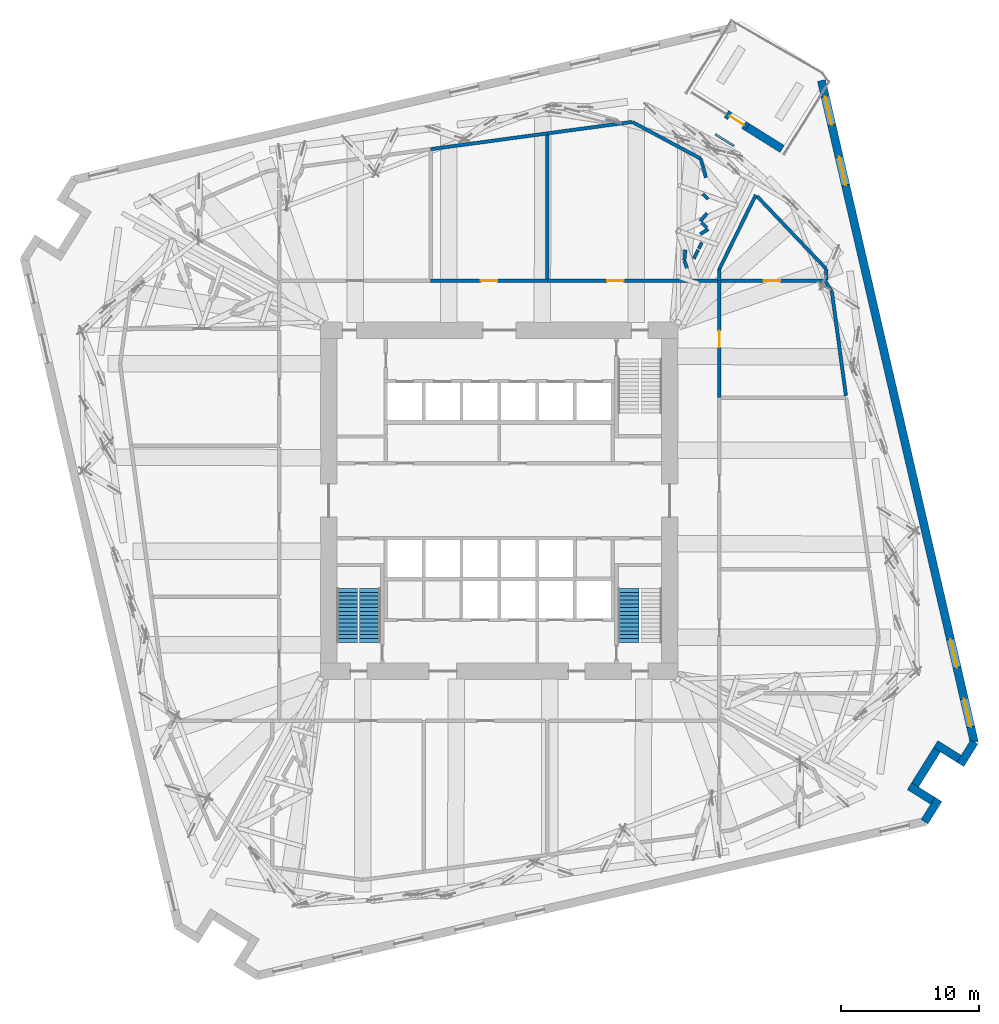
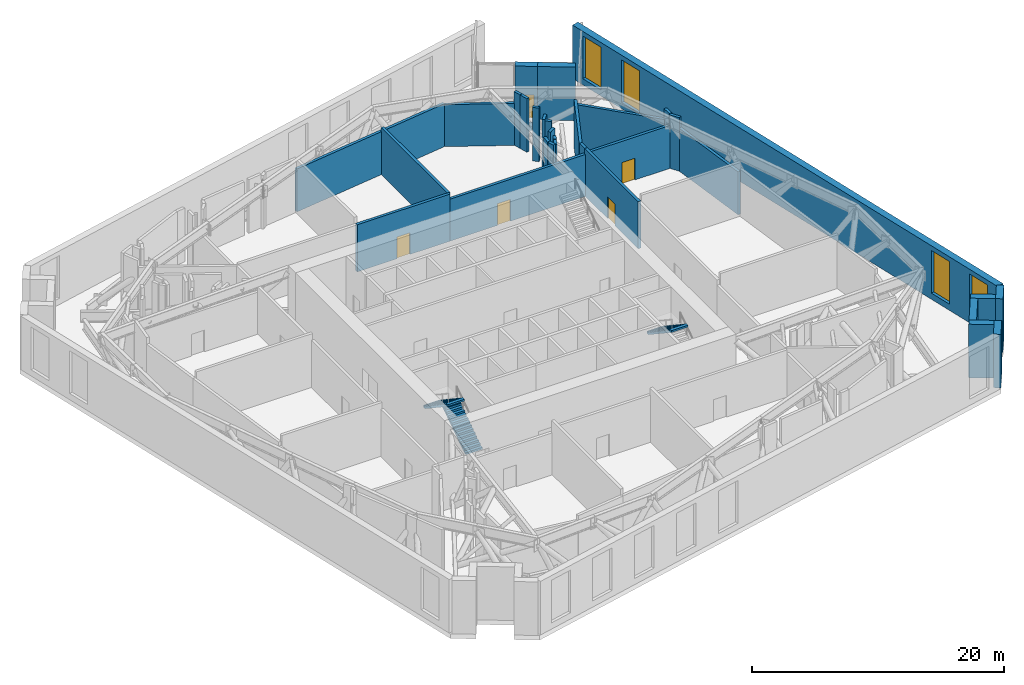
# One storey, part 12 of 17: 33 walls, 5 doors, 4 windows, 3 stair flights, 9 openings, 2 elements without a shape of their own.
"""IFC4 building model written with IfcOpenShell, lengths in metres."""

from ifc_helpers import new_model, si_unit, direction, frame, frame_2d, origin, place, context, subcontext, project, spatial, polyline, rectangle, outline, extrude, material, layer, layer_set, type_object, element, fill, aggregate, save


model = new_model("IFC4")

# Units and contexts
model_context = context("Model", 3, precision=1e-05, world=origin(), true_north=direction((0.0, 1.0)))
body_context = subcontext(model_context, "Body", "Model", "MODEL_VIEW")
ifc_project = project(units=[si_unit("LENGTHUNIT", "METRE"), si_unit("AREAUNIT", "SQUARE_METRE"), si_unit("VOLUMEUNIT", "CUBIC_METRE"), si_unit("PLANEANGLEUNIT", "RADIAN"), si_unit("MASSUNIT", "GRAM", prefix="KILO")], contexts=[model_context])

# Site, building, storey
site_placement = place(None, origin())
site = spatial("IfcSite", under=ifc_project, at=site_placement, CompositionType="ELEMENT")
building_placement = place(site_placement, origin())
building = spatial("IfcBuilding", under=site, at=building_placement, Name="Dilmun Exchange Tower", CompositionType="ELEMENT")
storey_placement = place(building_placement, frame((0.0, 0.0, 76.5)))
storey = spatial("IfcBuildingStorey", under=building, at=storey_placement, Name="L17", CompositionType="ELEMENT", Elevation=76.5)

# Wall, opening, door
ifc_material_1 = material(Name="Concrete C32/40", Category="concrete")
ifc_layer_1 = layer(ifc_material_1, 0.25)
ifc_layer_set_1 = layer_set([ifc_layer_1], Name="Concrete C32/40")
wall_type_1 = type_object("IfcWallType", Name="Plant room wall 250", PredefinedType="PARTITIONING", material=ifc_layer_set_1)
wall_1_placement = place(storey_placement, frame((16.0, 7.5048828125, 0.0), z_axis=(0.0, 0.0, 1.0), x_axis=(0.0, 1.0, 0.0)))
wall_1 = element("IfcWall", 1, at=wall_1_placement, inside=storey, type_object=wall_type_1, Name="L17 plant room wall 65", PredefinedType="PARTITIONING", context=body_context, shape_type="SweptSolid", body=[
    extrude(rectangle(XDim=8.4951171875, YDim=0.25, at=frame_2d((4.24755859375, 0.0))), origin(), (0.0, 0.0, 1.0), 4.56005859375),
])
opening_1_placement = place(wall_1_placement, frame((3.64501953125, 0.0, 0.0)))
opening_1 = element("IfcOpeningElement", 2, at=opening_1_placement, cuts=wall_1, Name="Opening PD2", PredefinedType="OPENING", context=body_context, shape_type="SweptSolid", body=[
    extrude(rectangle(XDim=1.199951171875, YDim=2.10009765625, at=frame_2d((0.60009765625, 1.050048828125))), frame((0.0, 0.135009765625, 0.0), z_axis=(0.0, -1.0, 0.0), x_axis=(1.0, 0.0, 0.0)), (0.0, 0.0, 1.0), 0.27001953125),
])
ifc_material_2 = material(Name="Fire-rated steel door set", Category="steel")
door_type_1 = type_object("IfcDoorType", Name="Plant room door 1200x2100", OperationType="SINGLE_SWING_LEFT", PredefinedType="DOOR", material=ifc_material_2)
door_1_placement = place(opening_1_placement, origin())
door_1 = element("IfcDoor", 3, at=door_1_placement, inside=storey, type_object=door_type_1, Name="L17 door Refuge area", OperationType="SINGLE_SWING_LEFT", OverallHeight=2.10009765625, OverallWidth=1.199951171875, PredefinedType="DOOR", context=body_context, shape_type="SweptSolid", body=[
    extrude(rectangle(XDim=1.199951171875, YDim=2.10009765625, at=frame_2d((0.60009765625, 1.050048828125))), frame((0.0, 0.02490234375, 0.0), z_axis=(0.0, -1.0, 0.0), x_axis=(1.0, 0.0, 0.0)), (0.0, 0.0, 1.0), 0.050048828125),
])
fill(opening_1, door_1)

# Wall
wall_2_placement = place(storey_placement, frame((24.18212890625, 15.206298828125, 0.0), z_axis=(0.0, 0.0, 1.0), x_axis=(0.133897553771, -0.990995179148, 0.0)))
element("IfcWall", 4, at=wall_2_placement, inside=storey, type_object=wall_type_1, Name="L17 plant room wall 80", PredefinedType="PARTITIONING", context=body_context, shape_type="SweptSolid", body=[
    extrude(rectangle(XDim=7.645263671875, YDim=0.25, at=frame_2d((3.82275390625, 0.0))), origin(), (0.0, 0.0, 1.0), 4.152099609375),
])

# Wall, opening, door
wall_3_placement = place(storey_placement, frame((-4.9951171875, 16.0, 0.0), z_axis=(0.0, 0.0, 1.0), x_axis=(1.0, 0.0, 0.0)))
wall_3 = element("IfcWall", 5, at=wall_3_placement, inside=storey, type_object=wall_type_1, Name="L17 plant room wall 90", PredefinedType="PARTITIONING", context=body_context, shape_type="SweptSolid", body=[
    extrude(rectangle(XDim=8.4951171875, YDim=0.25, at=frame_2d((4.24755859375, 0.0))), origin(), (0.0, 0.0, 1.0), 4.56005859375),
])
opening_2_placement = place(wall_3_placement, frame((3.64501953125, 0.0, 0.0)))
opening_2 = element("IfcOpeningElement", 6, at=opening_2_placement, cuts=wall_3, Name="Opening PD2", PredefinedType="OPENING", context=body_context, shape_type="SweptSolid", body=[
    extrude(rectangle(XDim=1.199951171875, YDim=2.10009765625, at=frame_2d((0.60009765625, 1.050048828125))), frame((0.0, 0.135009765625, 0.0), z_axis=(0.0, -1.0, 0.0), x_axis=(1.0, 0.0, 0.0)), (0.0, 0.0, 1.0), 0.27001953125),
])
door_2_placement = place(opening_2_placement, origin())
door_2 = element("IfcDoor", 7, at=door_2_placement, inside=storey, type_object=door_type_1, Name="L17 door Mechanical pump room", OperationType="SINGLE_SWING_LEFT", OverallHeight=2.10009765625, OverallWidth=1.199951171875, PredefinedType="DOOR", context=body_context, shape_type="SweptSolid", body=[
    extrude(rectangle(XDim=1.199951171875, YDim=2.10009765625, at=frame_2d((0.60009765625, 1.050048828125))), frame((0.0, 0.02490234375, 0.0), z_axis=(0.0, -1.0, 0.0), x_axis=(1.0, 0.0, 0.0)), (0.0, 0.0, 1.0), 0.050048828125),
])
fill(opening_2, door_2)

wall_4_placement = place(storey_placement, frame((3.5048828125, 16.0, 0.0), z_axis=(0.0, 0.0, 1.0), x_axis=(1.0, 0.0, 0.0)))
wall_4 = element("IfcWall", 8, at=wall_4_placement, inside=storey, type_object=wall_type_1, Name="L17 plant room wall 91", PredefinedType="PARTITIONING", context=body_context, shape_type="SweptSolid", body=[
    extrude(rectangle(XDim=12.365234375, YDim=0.25, at=frame_2d((6.1826171875, 0.0))), origin(), (0.0, 0.0, 1.0), 4.06005859375),
])
opening_3_placement = place(wall_4_placement, frame((4.326416015625, 0.0, 0.0)))
opening_3 = element("IfcOpeningElement", 9, at=opening_3_placement, cuts=wall_4, Name="Opening PD2", PredefinedType="OPENING", context=body_context, shape_type="SweptSolid", body=[
    extrude(rectangle(XDim=1.199951171875, YDim=2.10009765625, at=frame_2d((0.60009765625, 1.050048828125))), frame((0.0, 0.135009765625, 0.0), z_axis=(0.0, -1.0, 0.0), x_axis=(1.0, 0.0, 0.0)), (0.0, 0.0, 1.0), 0.27001953125),
])
door_3_placement = place(opening_3_placement, origin())
door_3 = element("IfcDoor", 10, at=door_3_placement, inside=storey, type_object=door_type_1, Name="L17 door Plant control room", OperationType="SINGLE_SWING_RIGHT", OverallHeight=2.10009765625, OverallWidth=1.199951171875, PredefinedType="DOOR", context=body_context, shape_type="SweptSolid", body=[
    extrude(rectangle(XDim=1.199951171875, YDim=2.10009765625, at=frame_2d((0.60009765625, 1.050048828125))), frame((0.0, 0.02490234375, 0.0), z_axis=(0.0, -1.0, 0.0), x_axis=(1.0, 0.0, 0.0)), (0.0, 0.0, 1.0), 0.050048828125),
])
fill(opening_3, door_3)

# Wall
wall_5_placement = place(storey_placement, frame((16.0, 16.0048828125, 0.0), z_axis=(0.0, 0.0, 1.0), x_axis=(0.0, 1.0, 0.0)))
element("IfcWall", 11, at=wall_5_placement, inside=storey, type_object=wall_type_1, Name="L17 plant room wall 92", PredefinedType="PARTITIONING", context=body_context, shape_type="SweptSolid", body=[
    extrude(rectangle(XDim=0.831298828125, YDim=0.25, at=frame_2d((0.41552734375, 0.0))), origin(), (0.0, 0.0, 1.0), 4.56005859375),
])

# Wall, opening, door
wall_6_placement = place(storey_placement, frame((16.1298828125, 16.0, 0.0), z_axis=(0.0, 0.0, 1.0), x_axis=(1.0, 0.0, 0.0)))
wall_6 = element("IfcWall", 12, at=wall_6_placement, inside=storey, type_object=wall_type_1, Name="L17 plant room wall 93", PredefinedType="PARTITIONING", context=body_context, shape_type="SweptSolid", body=[
    extrude(rectangle(XDim=7.54443359375, YDim=0.25, at=frame_2d((3.772216796875, 0.0))), origin(), (0.0, 0.0, 1.0), 4.152099609375),
])
opening_4_placement = place(wall_6_placement, frame((3.091552734375, 0.0, 0.0)))
opening_4 = element("IfcOpeningElement", 13, at=opening_4_placement, cuts=wall_6, Name="Opening PD2", PredefinedType="OPENING", context=body_context, shape_type="SweptSolid", body=[
    extrude(rectangle(XDim=1.199951171875, YDim=2.10009765625, at=frame_2d((0.60009765625, 1.050048828125))), frame((0.0, 0.135009765625, 0.0), z_axis=(0.0, -1.0, 0.0), x_axis=(1.0, 0.0, 0.0)), (0.0, 0.0, 1.0), 0.27001953125),
])
door_4_placement = place(opening_4_placement, origin())
door_4 = element("IfcDoor", 14, at=door_4_placement, inside=storey, type_object=door_type_1, Name="L17 door Mechanical valve room", OperationType="SINGLE_SWING_RIGHT", OverallHeight=2.10009765625, OverallWidth=1.199951171875, PredefinedType="DOOR", context=body_context, shape_type="SweptSolid", body=[
    extrude(rectangle(XDim=1.199951171875, YDim=2.10009765625, at=frame_2d((0.60009765625, 1.050048828125))), frame((0.0, 0.02490234375, 0.0), z_axis=(0.0, -1.0, 0.0), x_axis=(1.0, 0.0, 0.0)), (0.0, 0.0, 1.0), 0.050048828125),
])
fill(opening_4, door_4)

# Walls
wall_7_placement = place(storey_placement, frame((23.679443359375, 15.9921875, 0.0), z_axis=(0.0, 0.0, 1.0), x_axis=(0.538866930082, -0.842390901936, 0.0)))
element("IfcWall", 15, at=wall_7_placement, inside=storey, type_object=wall_type_1, Name="L17 plant room wall 94", PredefinedType="PARTITIONING", context=body_context, shape_type="SweptSolid", body=[
    extrude(rectangle(XDim=0.927490234375, YDim=0.25, at=frame_2d((0.4638671875, 0.0))), origin(), (0.0, 0.0, 1.0), 5.179931640625),
])
wall_8_placement = place(storey_placement, frame((16.00244140625, 16.84130859375, 0.0), z_axis=(0.0, 0.0, 1.0), x_axis=(0.441137719049, 0.897439420146, 0.0)))
element("IfcWall", 16, at=wall_8_placement, inside=storey, type_object=wall_type_1, Name="L17 plant room wall 99", PredefinedType="PARTITIONING", context=body_context, shape_type="SweptSolid", body=[
    extrude(rectangle(XDim=6.00537109375, YDim=0.25, at=frame_2d((3.002685546875, 0.0))), origin(), (0.0, 0.0, 1.0), 4.56005859375),
])
wall_9_placement = place(storey_placement, frame((23.7646484375, 16.86181640625, 0.0), z_axis=(0.0, 0.0, 1.0), x_axis=(0.033688731694, -0.999432373579, 0.0)))
element("IfcWall", 17, at=wall_9_placement, inside=storey, type_object=wall_type_1, Name="L17 plant room wall 100", PredefinedType="PARTITIONING", context=body_context, shape_type="SweptSolid", body=[
    extrude(rectangle(XDim=0.804443359375, YDim=0.25, at=frame_2d((0.40234375, 0.0))), origin(), (0.0, 0.0, 1.0), 5.179931640625),
])
wall_10_placement = place(storey_placement, frame((13.456787109375, 17.453125, 0.0), z_axis=(0.0, 0.0, 1.0), x_axis=(0.32939003376, -0.944193944939, 0.0)))
element("IfcWall", 18, at=wall_10_placement, inside=storey, type_object=wall_type_1, Name="L17 plant room wall 102", PredefinedType="PARTITIONING", context=body_context, shape_type="SweptSolid", body=[
    extrude(rectangle(XDim=0.566162109375, YDim=0.25, at=frame_2d((0.283203125, 0.0))), origin(), (0.0, 0.0, 1.0), 5.179931640625),
])
wall_11_placement = place(storey_placement, frame((13.453125, 17.482421875, 0.0), z_axis=(0.0, 0.0, 1.0), x_axis=(0.100328835768, 0.994954332979, 0.0)))
element("IfcWall", 19, at=wall_11_placement, inside=storey, type_object=wall_type_1, Name="L17 plant room wall 103", PredefinedType="PARTITIONING", context=body_context, shape_type="SweptSolid", body=[
    extrude(rectangle(XDim=0.76171875, YDim=0.25, at=frame_2d((0.380859375, 0.0))), origin(), (0.0, 0.0, 1.0), 5.179931640625),
])
wall_12_placement = place(storey_placement, frame((14.144775390625, 17.595458984375, 0.0), z_axis=(0.0, 0.0, 1.0), x_axis=(0.441008552152, 0.897502900791, 0.0)))
element("IfcWall", 20, at=wall_12_placement, inside=storey, type_object=wall_type_1, Name="L17 plant room wall 104", PredefinedType="PARTITIONING", context=body_context, shape_type="SweptSolid", body=[
    extrude(rectangle(XDim=0.72509765625, YDim=0.25, at=frame_2d((0.362548828125, 0.0))), origin(), (0.0, 0.0, 1.0), 4.56005859375),
])
wall_13_placement = place(storey_placement, frame((14.50634765625, 18.331298828125, 0.0), z_axis=(0.0, 0.0, 1.0), x_axis=(0.441139544231, 0.897438522973, 0.0)))
element("IfcWall", 21, at=wall_13_placement, inside=storey, type_object=wall_type_1, Name="L17 plant room wall 105", PredefinedType="PARTITIONING", context=body_context, shape_type="SweptSolid", body=[
    extrude(rectangle(XDim=0.483154296875, YDim=0.25, at=frame_2d((0.24169921875, 0.0))), origin(), (0.0, 0.0, 1.0), 4.56005859375),
])
wall_14_placement = place(storey_placement, frame((14.60791015625, 19.38330078125, 0.0), z_axis=(0.0, 0.0, 1.0), x_axis=(0.853210693836, 0.521566402219, 0.0)))
element("IfcWall", 22, at=wall_14_placement, inside=storey, type_object=wall_type_1, Name="L17 plant room wall 107", PredefinedType="PARTITIONING", context=body_context, shape_type="SweptSolid", body=[
    extrude(rectangle(XDim=0.6787109375, YDim=0.25, at=frame_2d((0.33935546875, 0.0))), origin(), (0.0, 0.0, 1.0), 4.56005859375),
])
wall_15_placement = place(storey_placement, frame((14.714111328125, 20.222412109375, 0.0), z_axis=(0.0, 0.0, 1.0), x_axis=(0.698077136182, -0.716022563848, 0.0)))
element("IfcWall", 23, at=wall_15_placement, inside=storey, type_object=wall_type_1, Name="L17 plant room wall 108", PredefinedType="PARTITIONING", context=body_context, shape_type="SweptSolid", body=[
    extrude(rectangle(XDim=0.544189453125, YDim=0.25, at=frame_2d((0.27197265625, 0.0))), origin(), (0.0, 0.0, 1.0), 5.179931640625),
])
wall_16_placement = place(storey_placement, frame((14.615478515625, 20.321533203125, 0.0), z_axis=(0.0, 0.0, 1.0), x_axis=(0.647406501975, 0.762144882028, 0.0)))
element("IfcWall", 24, at=wall_16_placement, inside=storey, type_object=wall_type_1, Name="L17 plant room wall 110", PredefinedType="PARTITIONING", context=body_context, shape_type="SweptSolid", body=[
    extrude(rectangle(XDim=0.76171875, YDim=0.25, at=frame_2d((0.380859375, 0.0))), origin(), (0.0, 0.0, 1.0), 5.179931640625),
])
wall_17_placement = place(storey_placement, frame((18.747314453125, 22.13037109375, 0.0), z_axis=(0.0, 0.0, 1.0), x_axis=(0.68963168831, -0.724160296121, 0.0)))
element("IfcWall", 25, at=wall_17_placement, inside=storey, type_object=wall_type_1, Name="L17 plant room wall 115", PredefinedType="PARTITIONING", context=body_context, shape_type="SweptSolid", body=[
    extrude(rectangle(XDim=7.2685546875, YDim=0.25, at=frame_2d((3.63427734375, 0.0))), origin(), (0.0, 0.0, 1.0), 4.152099609375),
])
wall_18_placement = place(storey_placement, frame((14.791748046875, 22.315185546875, 0.0), z_axis=(0.0, 0.0, 1.0), x_axis=(0.716028187583, -0.698071367832, 0.0)))
element("IfcWall", 26, at=wall_18_placement, inside=storey, type_object=wall_type_1, Name="L17 plant room wall 116", PredefinedType="PARTITIONING", context=body_context, shape_type="SweptSolid", body=[
    extrude(rectangle(XDim=0.5439453125, YDim=0.25, at=frame_2d((0.27197265625, 0.0))), origin(), (0.0, 0.0, 1.0), 5.179931640625),
])
wall_19_placement = place(storey_placement, frame((14.82421875, 24.228271484375, 0.0), z_axis=(0.0, 0.0, 1.0), x_axis=(0.26756122975, -0.963540859712, 0.0)))
element("IfcWall", 27, at=wall_19_placement, inside=storey, type_object=wall_type_1, Name="L17 plant room wall 122", PredefinedType="PARTITIONING", context=body_context, shape_type="SweptSolid", body=[
    extrude(rectangle(XDim=0.761962890625, YDim=0.25, at=frame_2d((0.380859375, 0.0))), origin(), (0.0, 0.0, 1.0), 5.179931640625),
])
wall_20_placement = place(storey_placement, frame((14.646484375, 24.867919921875, 0.0), z_axis=(0.0, 0.0, 1.0), x_axis=(0.26762450471, -0.963523286942, 0.0)))
element("IfcWall", 28, at=wall_20_placement, inside=storey, type_object=wall_type_1, Name="L17 plant room wall 125", PredefinedType="PARTITIONING", context=body_context, shape_type="SweptSolid", body=[
    extrude(rectangle(XDim=0.650390625, YDim=0.25, at=frame_2d((0.3251953125, 0.0))), origin(), (0.0, 0.0, 1.0), 5.179931640625),
])
wall_21_placement = place(storey_placement, frame((-4.9951171875, 25.561767578125, 0.0), z_axis=(0.0, 0.0, 1.0), x_axis=(0.991004378429, 0.133829450921, 0.0)))
element("IfcWall", 29, at=wall_21_placement, inside=storey, type_object=wall_type_1, Name="L17 plant room wall 129", PredefinedType="PARTITIONING", context=body_context, shape_type="SweptSolid", body=[
    extrude(rectangle(XDim=8.572265625, YDim=0.25, at=frame_2d((4.2861328125, 0.0))), origin(), (0.0, 0.0, 1.0), 4.152099609375),
])
wall_22_placement = place(storey_placement, frame((3.5, 16.1298828125, 0.0), z_axis=(0.0, 0.0, 1.0), x_axis=(0.0, 1.0, 0.0)))
element("IfcWall", 30, at=wall_22_placement, inside=storey, type_object=wall_type_1, Name="L17 plant room wall 130", PredefinedType="PARTITIONING", context=body_context, shape_type="SweptSolid", body=[
    extrude(rectangle(XDim=10.447998046875, YDim=0.25, at=frame_2d((5.22412109375, 0.0))), origin(), (0.0, 0.0, 1.0), 4.56005859375),
])
wall_23_placement = place(storey_placement, frame((3.5048828125, 26.709716796875, 0.0), z_axis=(0.0, 0.0, 1.0), x_axis=(0.991003839416, 0.133833442242, 0.0)))
element("IfcWall", 31, at=wall_23_placement, inside=storey, type_object=wall_type_1, Name="L17 plant room wall 131", PredefinedType="PARTITIONING", context=body_context, shape_type="SweptSolid", body=[
    extrude(rectangle(XDim=6.215087890625, YDim=0.25, at=frame_2d((3.107421875, 0.0))), origin(), (0.0, 0.0, 1.0), 4.152099609375),
])
wall_24_placement = place(storey_placement, frame((9.66943359375, 27.53857421875, 0.0), z_axis=(0.0, 0.0, 1.0), x_axis=(0.881158069127, -0.47282180281, 0.0)))
element("IfcWall", 32, at=wall_24_placement, inside=storey, type_object=wall_type_1, Name="L17 plant room wall 132", PredefinedType="PARTITIONING", context=body_context, shape_type="SweptSolid", body=[
    extrude(rectangle(XDim=5.64111328125, YDim=0.25, at=frame_2d((2.820556640625, 0.0))), origin(), (0.0, 0.0, 1.0), 4.06005859375),
])
ifc_material_3 = material(Name="Precast concrete C50/60", Category="concrete")
ifc_layer_2 = layer(ifc_material_3, 0.60009765625)
ifc_layer_set_2 = layer_set([ifc_layer_2], Name="Precast concrete C50/60")
wall_type_2 = type_object("IfcWallType", Name="Precast stone-clad wall 600", PredefinedType="STANDARD", material=ifc_layer_set_2)
wall_25_placement = place(storey_placement, frame((30.919189453125, -23.343017578125, 0.0), z_axis=(0.0, 0.0, 1.0), x_axis=(0.529872627711, 0.848077236107, 0.0)))
element("IfcWall", 33, at=wall_25_placement, inside=storey, type_object=wall_type_2, Name="Facade wall L17-16", PredefinedType="STANDARD", context=body_context, shape_type="SweptSolid", body=[
    extrude(rectangle(XDim=1.9111328125, YDim=0.60009765625, at=frame_2d((0.95556640625, 0.0))), origin(), (0.0, 0.0, 1.0), 5.179931640625),
])
wall_26_placement = place(storey_placement, frame((31.5185546875, -21.817626953125, 0.0), z_axis=(0.0, 0.0, 1.0), x_axis=(-0.848046307055, 0.529922127383, 0.0)))
element("IfcWall", 34, at=wall_26_placement, inside=storey, type_object=wall_type_2, Name="Facade wall L17-17", PredefinedType="STANDARD", context=body_context, shape_type="SweptSolid", body=[
    extrude(rectangle(XDim=2.0, YDim=0.60009765625, at=frame_2d((1.0, 0.0))), origin(), (0.0, 0.0, 1.0), 5.179931640625),
])
wall_27_placement = place(storey_placement, frame((30.23583984375, -20.662353515625, 0.0), z_axis=(0.0, 0.0, 1.0), x_axis=(0.529933104572, 0.848039447596, 0.0)))
element("IfcWall", 35, at=wall_27_placement, inside=storey, type_object=wall_type_2, Name="Facade wall L17-18", PredefinedType="STANDARD", context=body_context, shape_type="SweptSolid", body=[
    extrude(rectangle(XDim=3.0, YDim=0.60009765625, at=frame_2d((1.5, 0.0))), origin(), (0.0, 0.0, 1.0), 5.179931640625),
])
wall_28_placement = place(storey_placement, frame((31.730224609375, -17.70458984375, 0.0), z_axis=(0.0, 0.0, 1.0), x_axis=(0.848025730558, -0.529955054992, 0.0)))
element("IfcWall", 36, at=wall_28_placement, inside=storey, type_object=wall_type_2, Name="Facade wall L17-19", PredefinedType="STANDARD", context=body_context, shape_type="SweptSolid", body=[
    extrude(rectangle(XDim=2.000244140625, YDim=0.60009765625, at=frame_2d((1.0, 0.0))), origin(), (0.0, 0.0, 1.0), 5.179931640625),
])
wall_29_placement = place(storey_placement, frame((33.521728515625, -19.177978515625, 0.0), z_axis=(0.0, 0.0, 1.0), x_axis=(0.529964494694, 0.848019831351, 0.0)))
element("IfcWall", 37, at=wall_29_placement, inside=storey, type_object=wall_type_2, Name="Facade wall L17-20", PredefinedType="STANDARD", context=body_context, shape_type="SweptSolid", body=[
    extrude(rectangle(XDim=1.911376953125, YDim=0.60009765625, at=frame_2d((0.95556640625, 0.0))), origin(), (0.0, 0.0, 1.0), 5.179931640625),
])

# Wall, openings, windows
wall_30_placement = place(storey_placement, frame((34.53466796875, -17.55712890625, 0.0), z_axis=(0.0, 0.0, 1.0), x_axis=(-0.224952674481, 0.974369690746, 0.0)))
wall_30 = element("IfcWall", 38, at=wall_30_placement, inside=storey, type_object=wall_type_2, Name="Facade wall L17-21", PredefinedType="STANDARD", context=body_context, shape_type="SweptSolid", body=[
    extrude(rectangle(XDim=49.375732421875, YDim=0.60009765625, at=frame_2d((24.68798828125, 0.0))), origin(), (0.0, 0.0, 1.0), 5.179931640625),
])
opening_5_placement = place(wall_30_placement, frame((1.137939453125, 0.0, 0.60009765625)))
opening_5 = element("IfcOpeningElement", 39, at=opening_5_placement, cuts=wall_30, Name="Opening LV210-413", PredefinedType="OPENING", context=body_context, shape_type="SweptSolid", body=[
    extrude(rectangle(XDim=2.10009765625, YDim=4.1298828125, at=frame_2d((1.050048828125, 2.06494140625))), frame((0.0, 0.31005859375, 0.0), z_axis=(0.0, -1.0, 0.0), x_axis=(1.0, 0.0, 0.0)), (0.0, 0.0, 1.0), 0.6201171875),
])
opening_6_placement = place(wall_30_placement, frame((5.57568359375, 0.0, 0.60009765625)))
opening_6 = element("IfcOpeningElement", 40, at=opening_6_placement, cuts=wall_30, Name="Opening LV210-413", PredefinedType="OPENING", context=body_context, shape_type="SweptSolid", body=[
    extrude(rectangle(XDim=2.10009765625, YDim=4.1298828125, at=frame_2d((1.050048828125, 2.06494140625))), frame((0.0, 0.31005859375, 0.0), z_axis=(0.0, -1.0, 0.0), x_axis=(1.0, 0.0, 0.0)), (0.0, 0.0, 1.0), 0.6201171875),
])
opening_7_placement = place(wall_30_placement, frame((41.57568359375, 0.0, 0.60009765625)))
opening_7 = element("IfcOpeningElement", 41, at=opening_7_placement, cuts=wall_30, Name="Opening LV210-413", PredefinedType="OPENING", context=body_context, shape_type="SweptSolid", body=[
    extrude(rectangle(XDim=2.10009765625, YDim=4.1298828125, at=frame_2d((1.050048828125, 2.06494140625))), frame((0.0, 0.31005859375, 0.0), z_axis=(0.0, -1.0, 0.0), x_axis=(1.0, 0.0, 0.0)), (0.0, 0.0, 1.0), 0.6201171875),
])
opening_8_placement = place(wall_30_placement, frame((46.07568359375, 0.0, 0.60009765625)))
opening_8 = element("IfcOpeningElement", 42, at=opening_8_placement, cuts=wall_30, Name="Opening LV210-413", PredefinedType="OPENING", context=body_context, shape_type="SweptSolid", body=[
    extrude(rectangle(XDim=2.10009765625, YDim=4.1298828125, at=frame_2d((1.050048828125, 2.06494140625))), frame((0.0, 0.31005859375, 0.0), z_axis=(0.0, -1.0, 0.0), x_axis=(1.0, 0.0, 0.0)), (0.0, 0.0, 1.0), 0.6201171875),
])
ifc_material_4 = material(Name="Anodised aluminium louvre blades with sand trap", Category="aluminium")
window_type = type_object("IfcWindowType", Name="Plant louvre 2100 x 4130", PartitioningType="SINGLE_PANEL", PredefinedType="USERDEFINED", material=ifc_material_4)
window_1_placement = place(opening_5_placement, origin())
window_1 = element("IfcWindow", 43, at=window_1_placement, inside=storey, type_object=window_type, Name="Plant louvre 22.1", ObjectType="LOUVRE", OverallHeight=4.1298828125, OverallWidth=2.10009765625, PartitioningType="SINGLE_PANEL", PredefinedType="USERDEFINED", context=body_context, shape_type="SweptSolid", body=[
    extrude(rectangle(XDim=2.10009765625, YDim=4.1298828125, at=frame_2d((1.050048828125, 2.06494140625))), frame((0.0, 0.030029296875, 0.0), z_axis=(0.0, -1.0, 0.0), x_axis=(1.0, 0.0, 0.0)), (0.0, 0.0, 1.0), 0.06005859375),
])
fill(opening_5, window_1)
window_2_placement = place(opening_6_placement, origin())
window_2 = element("IfcWindow", 44, at=window_2_placement, inside=storey, type_object=window_type, Name="Plant louvre 22.2", ObjectType="LOUVRE", OverallHeight=4.1298828125, OverallWidth=2.10009765625, PartitioningType="SINGLE_PANEL", PredefinedType="USERDEFINED", context=body_context, shape_type="SweptSolid", body=[
    extrude(rectangle(XDim=2.10009765625, YDim=4.1298828125, at=frame_2d((1.050048828125, 2.06494140625))), frame((0.0, 0.030029296875, 0.0), z_axis=(0.0, -1.0, 0.0), x_axis=(1.0, 0.0, 0.0)), (0.0, 0.0, 1.0), 0.06005859375),
])
fill(opening_6, window_2)
window_3_placement = place(opening_7_placement, origin())
window_3 = element("IfcWindow", 45, at=window_3_placement, inside=storey, type_object=window_type, Name="Plant louvre 22.10", ObjectType="LOUVRE", OverallHeight=4.1298828125, OverallWidth=2.10009765625, PartitioningType="SINGLE_PANEL", PredefinedType="USERDEFINED", context=body_context, shape_type="SweptSolid", body=[
    extrude(rectangle(XDim=2.10009765625, YDim=4.1298828125, at=frame_2d((1.050048828125, 2.06494140625))), frame((0.0, 0.030029296875, 0.0), z_axis=(0.0, -1.0, 0.0), x_axis=(1.0, 0.0, 0.0)), (0.0, 0.0, 1.0), 0.06005859375),
])
fill(opening_7, window_3)
window_4_placement = place(opening_8_placement, origin())
window_4 = element("IfcWindow", 46, at=window_4_placement, inside=storey, type_object=window_type, Name="Plant louvre 22.11", ObjectType="LOUVRE", OverallHeight=4.1298828125, OverallWidth=2.10009765625, PartitioningType="SINGLE_PANEL", PredefinedType="USERDEFINED", context=body_context, shape_type="SweptSolid", body=[
    extrude(rectangle(XDim=2.10009765625, YDim=4.1298828125, at=frame_2d((1.050048828125, 2.06494140625))), frame((0.0, 0.030029296875, 0.0), z_axis=(0.0, -1.0, 0.0), x_axis=(1.0, 0.0, 0.0)), (0.0, 0.0, 1.0), 0.06005859375),
])
fill(opening_8, window_4)

# Wall
wall_31_placement = place(storey_placement, frame((20.568603515625, 25.57763671875, 0.0), z_axis=(0.0, 0.0, 1.0), x_axis=(-0.848048774501, 0.529918178654, 0.0)))
element("IfcWall", 47, at=wall_31_placement, inside=storey, type_object=wall_type_2, Name="Facade wall L17-01-0B", PredefinedType="STANDARD", context=body_context, shape_type="SweptSolid", body=[
    extrude(rectangle(XDim=2.989013671875, YDim=0.60009765625, at=frame_2d((1.49462890625, 0.0))), origin(), (0.0, 0.0, 1.0), 5.179931640625),
])

# Wall, opening, door
wall_32_placement = place(storey_placement, frame((18.03369140625, 27.16162109375, 0.0), z_axis=(0.0, 0.0, 1.0), x_axis=(-0.848028783771, 0.529950169257, 0.0)))
wall_32 = element("IfcWall", 48, at=wall_32_placement, inside=storey, type_object=wall_type_2, Name="Facade wall L17-01-D", PredefinedType="STANDARD", context=body_context, shape_type="SweptSolid", body=[
    extrude(rectangle(XDim=1.7998046875, YDim=0.60009765625, at=frame_2d((0.89990234375, 0.0))), origin(), (0.0, 0.0, 1.0), 5.179931640625),
])
opening_9_placement = place(wall_32_placement, frame((0.300048828125, 0.0, 0.0)))
opening_9 = element("IfcOpeningElement", 49, at=opening_9_placement, cuts=wall_32, Name="Opening GD-1", PredefinedType="OPENING", context=body_context, shape_type="SweptSolid", body=[
    extrude(rectangle(XDim=1.199951171875, YDim=2.39990234375, at=frame_2d((0.60009765625, 1.199951171875))), frame((0.0, 0.31005859375, 0.0), z_axis=(0.0, -1.0, 0.0), x_axis=(1.0, 0.0, 0.0)), (0.0, 0.0, 1.0), 0.6201171875),
])
ifc_material_5 = material(Name="Clear low-emissivity glass in aluminium frame", Category="aluminium")
door_type_2 = type_object("IfcDoorType", Name="Glazed garden door 1200 x 2400", OperationType="SINGLE_SWING_LEFT", PredefinedType="DOOR", material=ifc_material_5)
door_5_placement = place(opening_9_placement, origin())
door_5 = element("IfcDoor", 50, at=door_5_placement, inside=storey, type_object=door_type_2, Name="Garden terrace door", OperationType="SINGLE_SWING_LEFT", OverallHeight=2.39990234375, OverallWidth=1.199951171875, PredefinedType="DOOR", context=body_context, shape_type="SweptSolid", body=[
    extrude(rectangle(XDim=1.199951171875, YDim=2.39990234375, at=frame_2d((0.60009765625, 1.199951171875))), frame((0.0, 0.02490234375, 0.0), z_axis=(0.0, -1.0, 0.0), x_axis=(1.0, 0.0, 0.0)), (0.0, 0.0, 1.0), 0.050048828125),
])
fill(opening_9, door_5)

# Wall
ifc_layer_3 = layer(ifc_material_1, 0.14990234375)
ifc_layer_set_3 = layer_set([ifc_layer_3], Name="Concrete C32/40")
wall_type_3 = type_object("IfcWallType", Name="Truss kerb wall 150", PredefinedType="PARTITIONING", material=ifc_layer_set_3)
wall_33_placement = place(storey_placement, frame((17.061279296875, 25.794189453125, 0.0), z_axis=(0.0, 0.0, 1.0), x_axis=(-0.848006877016, 0.52998522294, 0.0)))
element("IfcWall", 51, at=wall_33_placement, inside=storey, type_object=wall_type_3, Name="L17 truss kerb wall", PredefinedType="PARTITIONING", context=body_context, shape_type="SweptSolid", body=[
    extrude(rectangle(XDim=1.599853515625, YDim=0.14990234375, at=frame_2d((0.7998046875, 0.0))), origin(), (0.0, 0.0, 1.0), 0.699951171875),
])

# Stair, stair flights
ifc_material_6 = material(Name="Concrete C40/50", Category="concrete")
stair_type = type_object("IfcStairType", Name="Exit stair 1500 half-turn", PredefinedType="HALF_TURN_STAIR", material=ifc_material_6)
stair_1_placement = place(storey_placement, origin())
stair_1 = element("IfcStair", 52, at=stair_1_placement, inside=storey, type_object=stair_type, Name="L17 Protected exit stair ST2", PredefinedType="HALF_TURN_STAIR")
stair_flight_type = type_object("IfcStairFlightType", Name="Exit stair flight 1500", PredefinedType="STRAIGHT", material=ifc_material_6)
stair_flight_1_placement = place(storey_placement, frame((-9.39990234375, -10.300048828125, 0.0), z_axis=(0.0, 0.0, 1.0), x_axis=(0.0, 1.0, 0.0)))
stair_flight_1 = element("IfcStairFlight", 53, at=stair_flight_1_placement, type_object=stair_flight_type, Name="ST2 flight 1", NumberOfRisers=15, NumberOfTreads=14, PredefinedType="STRAIGHT", RiserHeight=0.186666667, TreadLength=0.28, context=body_context, shape_type="SweptSolid", body=[
    extrude(outline(polyline([(0.0, 0.0), (0.0, 0.186767578125), (0.280029296875, 0.186767578125), (0.280029296875, 0.373291015625), (0.56005859375, 0.373291015625), (0.56005859375, 0.56005859375), (0.840087890625, 0.56005859375), (0.840087890625, 0.74658203125), (1.1201171875, 0.74658203125), (1.1201171875, 0.933349609375), (1.39990234375, 0.933349609375), (1.39990234375, 1.1201171875), (1.679931640625, 1.1201171875), (1.679931640625, 1.306640625), (1.9599609375, 1.306640625), (1.9599609375, 1.493408203125), (2.239990234375, 1.493408203125), (2.239990234375, 1.679931640625), (2.52001953125, 1.679931640625), (2.52001953125, 1.86669921875), (2.800048828125, 1.86669921875), (2.800048828125, 2.05322265625), (3.080078125, 2.05322265625), (3.080078125, 2.239990234375), (3.360107421875, 2.239990234375), (3.360107421875, 2.4267578125), (3.639892578125, 2.4267578125), (3.639892578125, 2.61328125), (3.919921875, 2.61328125), (3.919921875, 2.800048828125), (3.919921875, 2.43310546875), (0.270263671875, 0.0), (0.0, 0.0)])), frame((0.0, 0.75, 0.0), z_axis=(0.0, -1.0, 0.0), x_axis=(1.0, 0.0, 0.0)), (0.0, 0.0, 1.0), 1.5),
])
stair_flight_2_placement = place(storey_placement, frame((-11.050048828125, -6.3798828125, 2.800048828125), z_axis=(0.0, 0.0, 1.0), x_axis=(0.0, -1.0, 0.0)))
stair_flight_2 = element("IfcStairFlight", 54, at=stair_flight_2_placement, type_object=stair_flight_type, Name="ST2 flight 2", NumberOfRisers=15, NumberOfTreads=14, PredefinedType="STRAIGHT", RiserHeight=0.186666667, TreadLength=0.28, context=body_context, shape_type="SweptSolid", body=[
    extrude(outline(polyline([(0.0, 0.0), (0.0, 0.186767578125), (0.280029296875, 0.186767578125), (0.280029296875, 0.373291015625), (0.56005859375, 0.373291015625), (0.56005859375, 0.56005859375), (0.840087890625, 0.56005859375), (0.840087890625, 0.74658203125), (1.1201171875, 0.74658203125), (1.1201171875, 0.933349609375), (1.39990234375, 0.933349609375), (1.39990234375, 1.1201171875), (1.679931640625, 1.1201171875), (1.679931640625, 1.306640625), (1.9599609375, 1.306640625), (1.9599609375, 1.493408203125), (2.239990234375, 1.493408203125), (2.239990234375, 1.679931640625), (2.52001953125, 1.679931640625), (2.52001953125, 1.86669921875), (2.800048828125, 1.86669921875), (2.800048828125, 2.05322265625), (3.080078125, 2.05322265625), (3.080078125, 2.239990234375), (3.360107421875, 2.239990234375), (3.360107421875, 2.4267578125), (3.639892578125, 2.4267578125), (3.639892578125, 2.61328125), (3.919921875, 2.61328125), (3.919921875, 2.800048828125), (3.919921875, 2.43310546875), (0.270263671875, 0.0), (0.0, 0.0)])), frame((0.0, 0.75, 0.0), z_axis=(0.0, -1.0, 0.0), x_axis=(1.0, 0.0, 0.0)), (0.0, 0.0, 1.0), 1.5),
])
aggregate(stair_1, [stair_flight_1, stair_flight_2])

# Stair, stair flight
stair_2_placement = place(storey_placement, origin())
stair_2 = element("IfcStair", 55, at=stair_2_placement, inside=storey, type_object=stair_type, Name="L17 Protected exit stair ST3", PredefinedType="HALF_TURN_STAIR")
stair_flight_3_placement = place(storey_placement, frame((9.39990234375, -6.3798828125, 2.800048828125), z_axis=(0.0, 0.0, 1.0), x_axis=(0.0, -1.0, 0.0)))
stair_flight_3 = element("IfcStairFlight", 56, at=stair_flight_3_placement, type_object=stair_flight_type, Name="ST3 flight 2", NumberOfRisers=15, NumberOfTreads=14, PredefinedType="STRAIGHT", RiserHeight=0.186666667, TreadLength=0.28, context=body_context, shape_type="SweptSolid", body=[
    extrude(outline(polyline([(0.0, 0.0), (0.0, 0.186767578125), (0.280029296875, 0.186767578125), (0.280029296875, 0.373291015625), (0.56005859375, 0.373291015625), (0.56005859375, 0.56005859375), (0.840087890625, 0.56005859375), (0.840087890625, 0.74658203125), (1.1201171875, 0.74658203125), (1.1201171875, 0.933349609375), (1.39990234375, 0.933349609375), (1.39990234375, 1.1201171875), (1.679931640625, 1.1201171875), (1.679931640625, 1.306640625), (1.9599609375, 1.306640625), (1.9599609375, 1.493408203125), (2.239990234375, 1.493408203125), (2.239990234375, 1.679931640625), (2.52001953125, 1.679931640625), (2.52001953125, 1.86669921875), (2.800048828125, 1.86669921875), (2.800048828125, 2.05322265625), (3.080078125, 2.05322265625), (3.080078125, 2.239990234375), (3.360107421875, 2.239990234375), (3.360107421875, 2.4267578125), (3.639892578125, 2.4267578125), (3.639892578125, 2.61328125), (3.919921875, 2.61328125), (3.919921875, 2.800048828125), (3.919921875, 2.43310546875), (0.270263671875, 0.0), (0.0, 0.0)])), frame((0.0, 0.75, 0.0), z_axis=(0.0, -1.0, 0.0), x_axis=(1.0, 0.0, 0.0)), (0.0, 0.0, 1.0), 1.5),
])
aggregate(stair_2, [stair_flight_3])

save(model, "model.ifc")
